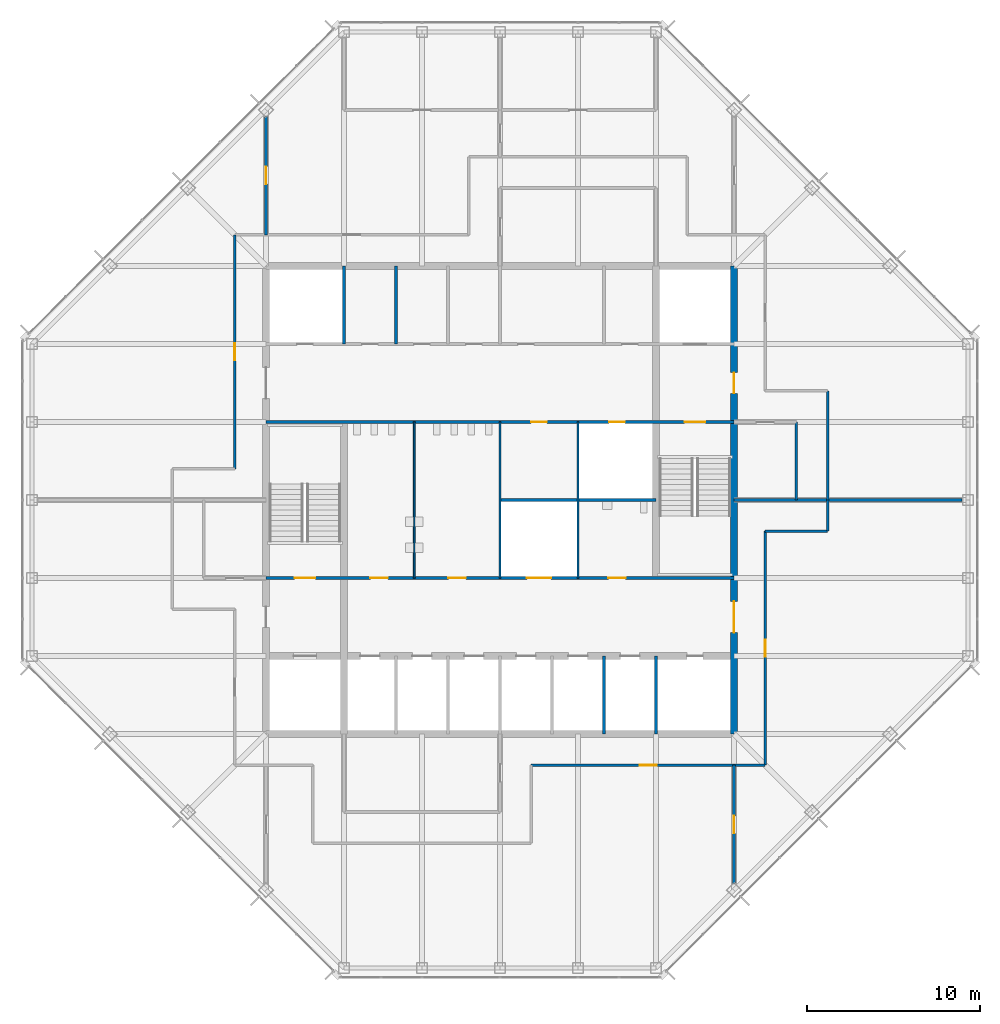
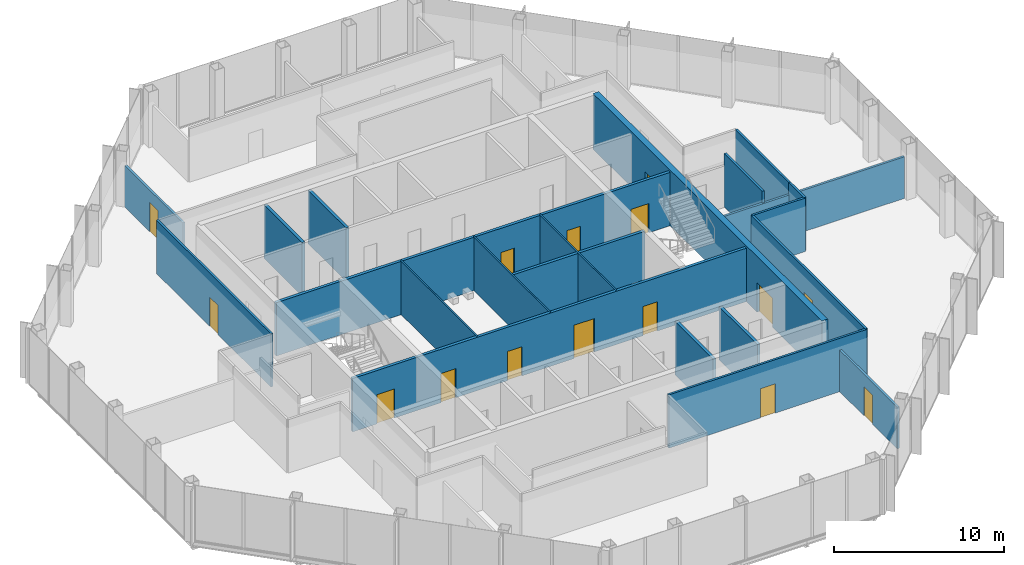
# One storey, part 10 of 13: 21 walls, 15 doors, 15 openings.
"""IFC4 building model written with IfcOpenShell, lengths in metres."""

from ifc_helpers import new_model, si_unit, direction, frame, frame_2d, origin, place, context, subcontext, project, spatial, rectangle, extrude, material, layer, layer_set, type_object, element, fill, save


model = new_model("IFC4")

# Units and contexts
model_context = context("Model", 3, precision=1e-05, world=origin(), true_north=direction((0.0, 1.0)))
body_context = subcontext(model_context, "Body", "Model", "MODEL_VIEW")
ifc_project = project(units=[si_unit("LENGTHUNIT", "METRE"), si_unit("AREAUNIT", "SQUARE_METRE"), si_unit("VOLUMEUNIT", "CUBIC_METRE"), si_unit("PLANEANGLEUNIT", "RADIAN"), si_unit("MASSUNIT", "GRAM", prefix="KILO")], contexts=[model_context])

# Site, building, storey
site_placement = place(None, origin())
site = spatial("IfcSite", under=ifc_project, at=site_placement, CompositionType="ELEMENT")
building_placement = place(site_placement, origin())
building = spatial("IfcBuilding", under=site, at=building_placement, Name="Corais Broadcast Tower", CompositionType="ELEMENT")
storey_placement = place(building_placement, frame((0.0, 0.0, 242.60009765625)))
storey = spatial("IfcBuildingStorey", under=building, at=storey_placement, Name="L56", CompositionType="ELEMENT", Elevation=242.60009765625)

# Walls
ifc_material_1 = material(Name="Concrete blockwork class A, grouted, two-hour", Category="masonry")
ifc_layer_1 = layer(ifc_material_1, 0.199951171875)
ifc_layer_set_1 = layer_set([ifc_layer_1], Name="Concrete blockwork class A, grouted, two-hour")
wall_type_1 = type_object("IfcWallType", Name="Core lobby wall 200", PredefinedType="SOLIDWALL", material=ifc_layer_set_1)
for number, where, z_axis, x_axis, name in (
    (1, (18.0, 36.0, 0.0), (0.0, 0.0, 1.0), (0.0, 1.0, 0.0), "CL3 core shaft wall X18B L56"),
    (2, (36.0, 13.5, 0.0), (0.0, 0.0, 1.0), (0.0, 1.0, 0.0), "CL3 core shaft wall X36A L56"),
):
    element("IfcWall", number, at=place(storey_placement, frame(where, z_axis=z_axis, x_axis=x_axis)), inside=storey, type_object=wall_type_1, Name=name, PredefinedType="SOLIDWALL", context=body_context, shape_type="SweptSolid", body=[
        extrude(rectangle(XDim=4.5, YDim=0.199951171875, at=frame_2d((2.25, 0.0))), origin(), (0.0, 0.0, 1.0), 3.83984375),
    ])

# Wall, openings, doors
wall_1_placement = place(storey_placement, frame((13.5, 22.5, 0.0), z_axis=(0.0, 0.0, 1.0), x_axis=(1.0, 0.0, 0.0)))
wall_1 = element("IfcWall", 3, at=wall_1_placement, inside=storey, type_object=wall_type_1, Name="CL3 core lobby wall Y225 L56", PredefinedType="SOLIDWALL", context=body_context, shape_type="SweptSolid", body=[
    extrude(rectangle(XDim=27.0, YDim=0.199951171875, at=frame_2d((13.5, 0.0))), origin(), (0.0, 0.0, 1.0), 3.83984375),
])
opening_1_placement = place(wall_1_placement, frame((1.64990234375, 0.0, 0.0)))
opening_1 = element("IfcOpeningElement", 4, at=opening_1_placement, cuts=wall_1, Name="Opening FD1", PredefinedType="OPENING", context=body_context, shape_type="SweptSolid", body=[
    extrude(rectangle(XDim=1.199951171875, YDim=2.10009765625, at=frame_2d((0.60009765625, 1.050048828125))), frame((0.0, 0.10986328125, 0.0), z_axis=(0.0, -1.0, 0.0), x_axis=(1.0, 0.0, 0.0)), (0.0, 0.0, 1.0), 0.219970703125),
])
opening_2_placement = place(wall_1_placement, frame((6.02490234375, 0.0, 0.0)))
opening_2 = element("IfcOpeningElement", 5, at=opening_2_placement, cuts=wall_1, Name="Opening WD1", PredefinedType="OPENING", context=body_context, shape_type="SweptSolid", body=[
    extrude(rectangle(XDim=1.0, YDim=2.10009765625, at=frame_2d((0.5, 1.050048828125))), frame((0.0, 0.10986328125, 0.0), z_axis=(0.0, -1.0, 0.0), x_axis=(1.0, 0.0, 0.0)), (0.0, 0.0, 1.0), 0.219970703125),
])
opening_3_placement = place(wall_1_placement, frame((10.52490234375, 0.0, 0.0)))
opening_3 = element("IfcOpeningElement", 6, at=opening_3_placement, cuts=wall_1, Name="Opening WD1", PredefinedType="OPENING", context=body_context, shape_type="SweptSolid", body=[
    extrude(rectangle(XDim=1.0, YDim=2.10009765625, at=frame_2d((0.5, 1.050048828125))), frame((0.0, 0.10986328125, 0.0), z_axis=(0.0, -1.0, 0.0), x_axis=(1.0, 0.0, 0.0)), (0.0, 0.0, 1.0), 0.219970703125),
])
opening_4_placement = place(wall_1_placement, frame((19.75, 0.0, 0.0)))
opening_4 = element("IfcOpeningElement", 7, at=opening_4_placement, cuts=wall_1, Name="Opening WD1", PredefinedType="OPENING", context=body_context, shape_type="SweptSolid", body=[
    extrude(rectangle(XDim=1.0, YDim=2.10009765625, at=frame_2d((0.5, 1.050048828125))), frame((0.0, 0.10986328125, 0.0), z_axis=(0.0, -1.0, 0.0), x_axis=(1.0, 0.0, 0.0)), (0.0, 0.0, 1.0), 0.219970703125),
])
opening_5_placement = place(wall_1_placement, frame((15.050048828125, 0.0, 0.0)))
opening_5 = element("IfcOpeningElement", 8, at=opening_5_placement, cuts=wall_1, Name="Opening LD3", PredefinedType="OPENING", context=body_context, shape_type="SweptSolid", body=[
    extrude(rectangle(XDim=1.39990234375, YDim=2.39990234375, at=frame_2d((0.699951171875, 1.199951171875))), frame((0.0, 0.10986328125, 0.0), z_axis=(0.0, -1.0, 0.0), x_axis=(1.0, 0.0, 0.0)), (0.0, 0.0, 1.0), 0.219970703125),
])
ifc_material_2 = material(Name="Steel fire door", Category="steel")
door_type_1 = type_object("IfcDoorType", Name="Fire door 1200x2100", OperationType="SINGLE_SWING_LEFT", PredefinedType="DOOR", material=ifc_material_2)
door_1_placement = place(opening_1_placement, origin())
door_1 = element("IfcDoor", 9, at=door_1_placement, inside=storey, type_object=door_type_1, Name="FD1 stair A door L56", OperationType="SINGLE_SWING_LEFT", OverallHeight=2.10009765625, OverallWidth=1.199951171875, PredefinedType="DOOR", context=body_context, shape_type="SweptSolid", body=[
    extrude(rectangle(XDim=1.199951171875, YDim=2.10009765625, at=frame_2d((0.60009765625, 1.050048828125))), frame((0.0, 0.02490234375, 0.0), z_axis=(0.0, -1.0, 0.0), x_axis=(1.0, 0.0, 0.0)), (0.0, 0.0, 1.0), 0.050048828125),
])
fill(opening_1, door_1)
ifc_material_3 = material(Name="Stainless steel lift door", Category="steel")
door_type_2 = type_object("IfcDoorType", Name="Service lift landing door 1400x2400", OperationType="SLIDING_TO_LEFT", PredefinedType="DOOR", material=ifc_material_3)
door_2_placement = place(opening_5_placement, origin())
door_2 = element("IfcDoor", 10, at=door_2_placement, inside=storey, type_object=door_type_2, Name="LD3 SL1 landing door L56", OperationType="SLIDING_TO_LEFT", OverallHeight=2.39990234375, OverallWidth=1.39990234375, PredefinedType="DOOR", context=body_context, shape_type="SweptSolid", body=[
    extrude(rectangle(XDim=1.39990234375, YDim=2.39990234375, at=frame_2d((0.699951171875, 1.199951171875))), frame((0.0, 0.02490234375, 0.0), z_axis=(0.0, -1.0, 0.0), x_axis=(1.0, 0.0, 0.0)), (0.0, 0.0, 1.0), 0.050048828125),
])
fill(opening_5, door_2)
ifc_material_4 = material(Name="Timber door", Category="wood")
door_type_3 = type_object("IfcDoorType", Name="Toilet door 1000x2100", OperationType="SINGLE_SWING_LEFT", PredefinedType="DOOR", material=ifc_material_4)
door_3_placement = place(opening_2_placement, origin())
door_3 = element("IfcDoor", 11, at=door_3_placement, inside=storey, type_object=door_type_3, Name="WD1 WC male door L56", OperationType="SINGLE_SWING_LEFT", OverallHeight=2.10009765625, OverallWidth=1.0, PredefinedType="DOOR", context=body_context, shape_type="SweptSolid", body=[
    extrude(rectangle(XDim=1.0, YDim=2.10009765625, at=frame_2d((0.5, 1.050048828125))), frame((0.0, 0.02490234375, 0.0), z_axis=(0.0, -1.0, 0.0), x_axis=(1.0, 0.0, 0.0)), (0.0, 0.0, 1.0), 0.050048828125),
])
fill(opening_2, door_3)
door_4_placement = place(opening_3_placement, origin())
door_4 = element("IfcDoor", 12, at=door_4_placement, inside=storey, type_object=door_type_3, Name="WD1 WC female door L56", OperationType="SINGLE_SWING_LEFT", OverallHeight=2.10009765625, OverallWidth=1.0, PredefinedType="DOOR", context=body_context, shape_type="SweptSolid", body=[
    extrude(rectangle(XDim=1.0, YDim=2.10009765625, at=frame_2d((0.5, 1.050048828125))), frame((0.0, 0.02490234375, 0.0), z_axis=(0.0, -1.0, 0.0), x_axis=(1.0, 0.0, 0.0)), (0.0, 0.0, 1.0), 0.050048828125),
])
fill(opening_3, door_4)
door_5_placement = place(opening_4_placement, origin())
door_5 = element("IfcDoor", 13, at=door_5_placement, inside=storey, type_object=door_type_3, Name="WD1 accessible WC door L56", OperationType="SINGLE_SWING_RIGHT", OverallHeight=2.10009765625, OverallWidth=1.0, PredefinedType="DOOR", context=body_context, shape_type="SweptSolid", body=[
    extrude(rectangle(XDim=1.0, YDim=2.10009765625, at=frame_2d((0.5, 1.050048828125))), frame((0.0, 0.02490234375, 0.0), z_axis=(0.0, -1.0, 0.0), x_axis=(1.0, 0.0, 0.0)), (0.0, 0.0, 1.0), 0.050048828125),
])
fill(opening_4, door_5)

wall_2_placement = place(storey_placement, frame((13.5, 31.5, 0.0), z_axis=(0.0, 0.0, 1.0), x_axis=(1.0, 0.0, 0.0)))
wall_2 = element("IfcWall", 14, at=wall_2_placement, inside=storey, type_object=wall_type_1, Name="CL3 core lobby wall Y315 L56", PredefinedType="SOLIDWALL", context=body_context, shape_type="SweptSolid", body=[
    extrude(rectangle(XDim=27.0, YDim=0.199951171875, at=frame_2d((13.5, 0.0))), origin(), (0.0, 0.0, 1.0), 3.83984375),
])
opening_6_placement = place(wall_2_placement, frame((24.14990234375, 0.0, 0.0)))
opening_6 = element("IfcOpeningElement", 15, at=opening_6_placement, cuts=wall_2, Name="Opening FD1", PredefinedType="OPENING", context=body_context, shape_type="SweptSolid", body=[
    extrude(rectangle(XDim=1.199951171875, YDim=2.10009765625, at=frame_2d((0.60009765625, 1.050048828125))), frame((0.0, 0.10986328125, 0.0), z_axis=(0.0, -1.0, 0.0), x_axis=(1.0, 0.0, 0.0)), (0.0, 0.0, 1.0), 0.219970703125),
])
opening_7_placement = place(wall_2_placement, frame((15.300048828125, 0.0, 0.0)))
opening_7 = element("IfcOpeningElement", 16, at=opening_7_placement, cuts=wall_2, Name="Opening RD1", PredefinedType="OPENING", context=body_context, shape_type="SweptSolid", body=[
    extrude(rectangle(XDim=0.89990234375, YDim=2.10009765625, at=frame_2d((0.449951171875, 1.050048828125))), frame((0.0, 0.10986328125, 0.0), z_axis=(0.0, -1.0, 0.0), x_axis=(1.0, 0.0, 0.0)), (0.0, 0.0, 1.0), 0.219970703125),
])
opening_8_placement = place(wall_2_placement, frame((19.800048828125, 0.0, 0.0)))
opening_8 = element("IfcOpeningElement", 17, at=opening_8_placement, cuts=wall_2, Name="Opening RD1", PredefinedType="OPENING", context=body_context, shape_type="SweptSolid", body=[
    extrude(rectangle(XDim=0.89990234375, YDim=2.10009765625, at=frame_2d((0.449951171875, 1.050048828125))), frame((0.0, 0.10986328125, 0.0), z_axis=(0.0, -1.0, 0.0), x_axis=(1.0, 0.0, 0.0)), (0.0, 0.0, 1.0), 0.219970703125),
])
door_6_placement = place(opening_6_placement, origin())
door_6 = element("IfcDoor", 18, at=door_6_placement, inside=storey, type_object=door_type_1, Name="FD1 stair B door L56", OperationType="SINGLE_SWING_RIGHT", OverallHeight=2.10009765625, OverallWidth=1.199951171875, PredefinedType="DOOR", context=body_context, shape_type="SweptSolid", body=[
    extrude(rectangle(XDim=1.199951171875, YDim=2.10009765625, at=frame_2d((0.60009765625, 1.050048828125))), frame((0.0, 0.02490234375, 0.0), z_axis=(0.0, -1.0, 0.0), x_axis=(1.0, 0.0, 0.0)), (0.0, 0.0, 1.0), 0.050048828125),
])
fill(opening_6, door_6)
ifc_material_5 = material(Name="Steel fire door", Category="steel")
door_type_4 = type_object("IfcDoorType", Name="Riser door 900x2100", OperationType="SINGLE_SWING_LEFT", PredefinedType="DOOR", material=ifc_material_5)
door_7_placement = place(opening_7_placement, origin())
door_7 = element("IfcDoor", 19, at=door_7_placement, inside=storey, type_object=door_type_4, Name="RD1 tea point door L56", OperationType="SINGLE_SWING_RIGHT", OverallHeight=2.10009765625, OverallWidth=0.89990234375, PredefinedType="DOOR", context=body_context, shape_type="SweptSolid", body=[
    extrude(rectangle(XDim=0.89990234375, YDim=2.10009765625, at=frame_2d((0.449951171875, 1.050048828125))), frame((0.0, 0.02490234375, 0.0), z_axis=(0.0, -1.0, 0.0), x_axis=(1.0, 0.0, 0.0)), (0.0, 0.0, 1.0), 0.050048828125),
])
fill(opening_7, door_7)
door_8_placement = place(opening_8_placement, origin())
door_8 = element("IfcDoor", 20, at=door_8_placement, inside=storey, type_object=door_type_4, Name="RD1 riser door L56", OperationType="SINGLE_SWING_RIGHT", OverallHeight=2.10009765625, OverallWidth=0.89990234375, PredefinedType="DOOR", context=body_context, shape_type="SweptSolid", body=[
    extrude(rectangle(XDim=0.89990234375, YDim=2.10009765625, at=frame_2d((0.449951171875, 1.050048828125))), frame((0.0, 0.02490234375, 0.0), z_axis=(0.0, -1.0, 0.0), x_axis=(1.0, 0.0, 0.0)), (0.0, 0.0, 1.0), 0.050048828125),
])
fill(opening_8, door_8)

ifc_material_6 = material(Name="Concrete C50/60", Category="concrete")
ifc_layer_2 = layer(ifc_material_6, 0.39990234375)
ifc_layer_set_2 = layer_set([ifc_layer_2], Name="Concrete C50/60")
wall_type_2 = type_object("IfcWallType", Name="Core wall 400", PredefinedType="SHEAR", material=ifc_layer_set_2)
wall_3_placement = place(storey_placement, frame((40.5, 13.5, 0.0), z_axis=(0.0, 0.0, 1.0), x_axis=(0.0, 1.0, 0.0)))
wall_3 = element("IfcWall", 21, at=wall_3_placement, inside=storey, type_object=wall_type_2, Name="CR400 core wall E L56", PredefinedType="SHEAR", context=body_context, shape_type="SweptSolid", body=[
    extrude(rectangle(XDim=27.0, YDim=0.39990234375, at=frame_2d((13.5, 0.0))), origin(), (0.0, 0.0, 1.0), 4.0),
])
opening_9_placement = place(wall_3_placement, frame((5.85009765625, 0.0, 0.0)))
opening_9 = element("IfcOpeningElement", 22, at=opening_9_placement, cuts=wall_3, Name="Opening FD2", PredefinedType="OPENING", context=body_context, shape_type="SweptSolid", body=[
    extrude(rectangle(XDim=1.800048828125, YDim=2.10009765625, at=frame_2d((0.89990234375, 1.050048828125))), frame((0.0, 0.2099609375, 0.0), z_axis=(0.0, -1.0, 0.0), x_axis=(1.0, 0.0, 0.0)), (0.0, 0.0, 1.0), 0.419921875),
])
opening_10_placement = place(wall_3_placement, frame((19.64990234375, 0.0, 0.0)))
opening_10 = element("IfcOpeningElement", 23, at=opening_10_placement, cuts=wall_3, Name="Opening FD1", PredefinedType="OPENING", context=body_context, shape_type="SweptSolid", body=[
    extrude(rectangle(XDim=1.199951171875, YDim=2.10009765625, at=frame_2d((0.60009765625, 1.050048828125))), frame((0.0, 0.2099609375, 0.0), z_axis=(0.0, -1.0, 0.0), x_axis=(1.0, 0.0, 0.0)), (0.0, 0.0, 1.0), 0.419921875),
])
door_9_placement = place(opening_10_placement, origin())
door_9 = element("IfcDoor", 24, at=door_9_placement, inside=storey, type_object=door_type_1, Name="FD1 fire lobby B door L56", OperationType="SINGLE_SWING_RIGHT", OverallHeight=2.10009765625, OverallWidth=1.199951171875, PredefinedType="DOOR", context=body_context, shape_type="SweptSolid", body=[
    extrude(rectangle(XDim=1.199951171875, YDim=2.10009765625, at=frame_2d((0.60009765625, 1.050048828125))), frame((0.0, 0.02490234375, 0.0), z_axis=(0.0, -1.0, 0.0), x_axis=(1.0, 0.0, 0.0)), (0.0, 0.0, 1.0), 0.050048828125),
])
fill(opening_10, door_9)
ifc_material_7 = material(Name="Steel fire door", Category="steel")
door_type_5 = type_object("IfcDoorType", Name="Fire door pair 1800x2100", OperationType="DOUBLE_DOOR_SINGLE_SWING", PredefinedType="DOOR", material=ifc_material_7)
door_10_placement = place(opening_9_placement, origin())
door_10 = element("IfcDoor", 25, at=door_10_placement, inside=storey, type_object=door_type_5, Name="FD2 lift lobby door L56", OperationType="SINGLE_SWING_LEFT", OverallHeight=2.10009765625, OverallWidth=1.800048828125, PredefinedType="DOOR", context=body_context, shape_type="SweptSolid", body=[
    extrude(rectangle(XDim=1.800048828125, YDim=2.10009765625, at=frame_2d((0.89990234375, 1.050048828125))), frame((0.0, 0.02490234375, 0.0), z_axis=(0.0, -1.0, 0.0), x_axis=(1.0, 0.0, 0.0)), (0.0, 0.0, 1.0), 0.050048828125),
])
fill(opening_9, door_10)

# Wall
ifc_material_8 = material(Name="Two layers of fire-rated gypsum board each side on steel studs", Category="steel")
ifc_layer_3 = layer(ifc_material_8, 0.14990234375)
ifc_layer_set_3 = layer_set([ifc_layer_3], Name="Two layers of fire-rated gypsum board each side on steel studs")
wall_type_3 = type_object("IfcWallType", Name="Fire-rated partition 150 EI 60", PredefinedType="PARTITIONING", material=ifc_layer_set_3)
wall_4_placement = place(storey_placement, frame((40.5, 27.0, 0.0), z_axis=(0.0, 0.0, 1.0), x_axis=(1.0, 0.0, 0.0)))
element("IfcWall", 26, at=wall_4_placement, inside=storey, type_object=wall_type_3, Name="IW7 tenancy wall L56", PredefinedType="PARTITIONING", context=body_context, shape_type="SweptSolid", body=[
    extrude(rectangle(XDim=13.1650390625, YDim=0.14990234375, at=frame_2d((6.58251953125, 0.0))), origin(), (0.0, 0.0, 1.0), 2.989013671875),
])

# Wall, opening, door
ifc_material_9 = material(Name="Gypsum board on steel studs", Category="steel")
ifc_layer_4 = layer(ifc_material_9, 0.14990234375)
ifc_layer_set_4 = layer_set([ifc_layer_4], Name="Gypsum board on steel studs")
wall_type_4 = type_object("IfcWallType", Name="Partition 150", PredefinedType="PARTITIONING", material=ifc_layer_set_4)
wall_5_placement = place(storey_placement, frame((28.800048828125, 11.699951171875, 0.0), z_axis=(0.0, 0.0, 1.0), x_axis=(1.0, 0.0, 0.0)))
wall_5 = element("IfcWall", 27, at=wall_5_placement, inside=storey, type_object=wall_type_4, Name="IW3 corridor wall L56", PredefinedType="PARTITIONING", context=body_context, shape_type="SweptSolid", body=[
    extrude(rectangle(XDim=13.5, YDim=0.14990234375, at=frame_2d((6.75, 0.0))), origin(), (0.0, 0.0, 1.0), 3.83984375),
])
opening_11_placement = place(wall_5_placement, frame((6.25, 0.0, 0.0)))
opening_11 = element("IfcOpeningElement", 28, at=opening_11_placement, cuts=wall_5, Name="Opening D1", PredefinedType="OPENING", context=body_context, shape_type="SweptSolid", body=[
    extrude(rectangle(XDim=1.0, YDim=2.10009765625, at=frame_2d((0.5, 1.050048828125))), frame((0.0, 0.0849609375, 0.0), z_axis=(0.0, -1.0, 0.0), x_axis=(1.0, 0.0, 0.0)), (0.0, 0.0, 1.0), 0.169921875),
])
ifc_material_10 = material(Name="Timber door", Category="wood")
door_type_6 = type_object("IfcDoorType", Name="Single door 1000x2100", OperationType="SINGLE_SWING_LEFT", PredefinedType="DOOR", material=ifc_material_10)
door_11_placement = place(opening_11_placement, origin())
door_11 = element("IfcDoor", 29, at=door_11_placement, inside=storey, type_object=door_type_6, Name="D1 workplace door L56", OperationType="SINGLE_SWING_LEFT", OverallHeight=2.10009765625, OverallWidth=1.0, PredefinedType="DOOR", context=body_context, shape_type="SweptSolid", body=[
    extrude(rectangle(XDim=1.0, YDim=2.10009765625, at=frame_2d((0.5, 1.050048828125))), frame((0.0, 0.02490234375, 0.0), z_axis=(0.0, -1.0, 0.0), x_axis=(1.0, 0.0, 0.0)), (0.0, 0.0, 1.0), 0.050048828125),
])
fill(opening_11, door_11)

wall_6_placement = place(storey_placement, frame((42.300048828125, 11.699951171875, 0.0), z_axis=(0.0, 0.0, 1.0), x_axis=(0.0, 1.0, 0.0)))
wall_6 = element("IfcWall", 30, at=wall_6_placement, inside=storey, type_object=wall_type_4, Name="IW3 corridor wall L56", PredefinedType="PARTITIONING", context=body_context, shape_type="SweptSolid", body=[
    extrude(rectangle(XDim=13.5, YDim=0.14990234375, at=frame_2d((6.75, 0.0))), origin(), (0.0, 0.0, 1.0), 3.83984375),
])
opening_12_placement = place(wall_6_placement, frame((6.25, 0.0, 0.0)))
opening_12 = element("IfcOpeningElement", 31, at=opening_12_placement, cuts=wall_6, Name="Opening D1", PredefinedType="OPENING", context=body_context, shape_type="SweptSolid", body=[
    extrude(rectangle(XDim=1.0, YDim=2.10009765625, at=frame_2d((0.5, 1.050048828125))), frame((0.0, 0.0849609375, 0.0), z_axis=(0.0, -1.0, 0.0), x_axis=(1.0, 0.0, 0.0)), (0.0, 0.0, 1.0), 0.169921875),
])
door_12_placement = place(opening_12_placement, origin())
door_12 = element("IfcDoor", 32, at=door_12_placement, inside=storey, type_object=door_type_6, Name="D1 workplace door L56", OperationType="SINGLE_SWING_LEFT", OverallHeight=2.10009765625, OverallWidth=1.0, PredefinedType="DOOR", context=body_context, shape_type="SweptSolid", body=[
    extrude(rectangle(XDim=1.0, YDim=2.10009765625, at=frame_2d((0.5, 1.050048828125))), frame((0.0, 0.02490234375, 0.0), z_axis=(0.0, -1.0, 0.0), x_axis=(1.0, 0.0, 0.0)), (0.0, 0.0, 1.0), 0.050048828125),
])
fill(opening_12, door_12)

# Walls
wall_7_placement = place(storey_placement, frame((42.300048828125, 25.199951171875, 0.0), z_axis=(0.0, 0.0, 1.0), x_axis=(1.0, 0.0, 0.0)))
element("IfcWall", 33, at=wall_7_placement, inside=storey, type_object=wall_type_4, Name="IW3 corridor wall L56", PredefinedType="PARTITIONING", context=body_context, shape_type="SweptSolid", body=[
    extrude(rectangle(XDim=3.599853515625, YDim=0.14990234375, at=frame_2d((1.7998046875, 0.0))), origin(), (0.0, 0.0, 1.0), 3.83984375),
])
wall_8_placement = place(storey_placement, frame((45.89990234375, 25.199951171875, 0.0), z_axis=(0.0, 0.0, 1.0), x_axis=(0.0, 1.0, 0.0)))
element("IfcWall", 34, at=wall_8_placement, inside=storey, type_object=wall_type_4, Name="IW3 corridor wall L56", PredefinedType="PARTITIONING", context=body_context, shape_type="SweptSolid", body=[
    extrude(rectangle(XDim=1.799560546875, YDim=0.14990234375, at=frame_2d((0.89990234375, 0.0))), origin(), (0.0, 0.0, 1.0), 3.83984375),
])

# Wall, opening, door
wall_9_placement = place(storey_placement, frame((11.699951171875, 42.300048828125, 0.0), z_axis=(0.0, 0.0, 1.0), x_axis=(0.0, -1.0, 0.0)))
wall_9 = element("IfcWall", 35, at=wall_9_placement, inside=storey, type_object=wall_type_4, Name="IW3 corridor wall L56", PredefinedType="PARTITIONING", context=body_context, shape_type="SweptSolid", body=[
    extrude(rectangle(XDim=13.5, YDim=0.14990234375, at=frame_2d((6.75, 0.0))), origin(), (0.0, 0.0, 1.0), 3.83984375),
])
opening_13_placement = place(wall_9_placement, frame((6.25, 0.0, 0.0)))
opening_13 = element("IfcOpeningElement", 36, at=opening_13_placement, cuts=wall_9, Name="Opening D1", PredefinedType="OPENING", context=body_context, shape_type="SweptSolid", body=[
    extrude(rectangle(XDim=1.0, YDim=2.10009765625, at=frame_2d((0.5, 1.050048828125))), frame((0.0, 0.0849609375, 0.0), z_axis=(0.0, -1.0, 0.0), x_axis=(1.0, 0.0, 0.0)), (0.0, 0.0, 1.0), 0.169921875),
])
door_13_placement = place(opening_13_placement, origin())
door_13 = element("IfcDoor", 37, at=door_13_placement, inside=storey, type_object=door_type_6, Name="D1 workplace door L56", OperationType="SINGLE_SWING_LEFT", OverallHeight=2.10009765625, OverallWidth=1.0, PredefinedType="DOOR", context=body_context, shape_type="SweptSolid", body=[
    extrude(rectangle(XDim=1.0, YDim=2.10009765625, at=frame_2d((0.5, 1.050048828125))), frame((0.0, 0.02490234375, 0.0), z_axis=(0.0, -1.0, 0.0), x_axis=(1.0, 0.0, 0.0)), (0.0, 0.0, 1.0), 0.050048828125),
])
fill(opening_13, door_13)

# Walls
wall_10_placement = place(storey_placement, frame((45.89990234375, 27.00048828125, 0.0), z_axis=(0.0, 0.0, 1.0), x_axis=(0.0, 1.0, 0.0)))
element("IfcWall", 38, at=wall_10_placement, inside=storey, type_object=wall_type_4, Name="IW3 corridor wall L56", PredefinedType="PARTITIONING", context=body_context, shape_type="SweptSolid", body=[
    extrude(rectangle(XDim=6.299560546875, YDim=0.14990234375, at=frame_2d((3.14990234375, 0.0))), origin(), (0.0, 0.0, 1.0), 3.83984375),
])
wall_11_placement = place(storey_placement, frame((44.10009765625, 27.0, 0.0), z_axis=(0.0, 0.0, 1.0), x_axis=(0.0, 1.0, 0.0)))
element("IfcWall", 39, at=wall_11_placement, inside=storey, type_object=wall_type_4, Name="IW3 partition L56", PredefinedType="PARTITIONING", context=body_context, shape_type="SweptSolid", body=[
    extrude(rectangle(XDim=4.5, YDim=0.14990234375, at=frame_2d((2.25, 0.0))), origin(), (0.0, 0.0, 1.0), 3.83984375),
])

# Wall, opening, door
wall_12_placement = place(storey_placement, frame((40.5, 4.844970703125, 0.0), z_axis=(0.0, 0.0, 1.0), x_axis=(0.0, 1.0, 0.0)))
wall_12 = element("IfcWall", 40, at=wall_12_placement, inside=storey, type_object=wall_type_4, Name="IW3 partition L56", PredefinedType="PARTITIONING", context=body_context, shape_type="SweptSolid", body=[
    extrude(rectangle(XDim=6.85498046875, YDim=0.14990234375, at=frame_2d((3.427490234375, 0.0))), origin(), (0.0, 0.0, 1.0), 2.989013671875),
])
opening_14_placement = place(wall_12_placement, frame((2.927490234375, 0.0, 0.0)))
opening_14 = element("IfcOpeningElement", 41, at=opening_14_placement, cuts=wall_12, Name="Opening D1", PredefinedType="OPENING", context=body_context, shape_type="SweptSolid", body=[
    extrude(rectangle(XDim=1.0, YDim=2.10009765625, at=frame_2d((0.5, 1.050048828125))), frame((0.0, 0.0849609375, 0.0), z_axis=(0.0, -1.0, 0.0), x_axis=(1.0, 0.0, 0.0)), (0.0, 0.0, 1.0), 0.169921875),
])
door_14_placement = place(opening_14_placement, origin())
door_14 = element("IfcDoor", 42, at=door_14_placement, inside=storey, type_object=door_type_6, Name="D1 team room door L56", OperationType="SINGLE_SWING_LEFT", OverallHeight=2.10009765625, OverallWidth=1.0, PredefinedType="DOOR", context=body_context, shape_type="SweptSolid", body=[
    extrude(rectangle(XDim=1.0, YDim=2.10009765625, at=frame_2d((0.5, 1.050048828125))), frame((0.0, 0.02490234375, 0.0), z_axis=(0.0, -1.0, 0.0), x_axis=(1.0, 0.0, 0.0)), (0.0, 0.0, 1.0), 0.050048828125),
])
fill(opening_14, door_14)

wall_13_placement = place(storey_placement, frame((13.5, 42.300048828125, 0.0), z_axis=(0.0, 0.0, 1.0), x_axis=(0.0, 1.0, 0.0)))
wall_13 = element("IfcWall", 43, at=wall_13_placement, inside=storey, type_object=wall_type_4, Name="IW3 partition L56", PredefinedType="PARTITIONING", context=body_context, shape_type="SweptSolid", body=[
    extrude(rectangle(XDim=6.85498046875, YDim=0.14990234375, at=frame_2d((3.427490234375, 0.0))), origin(), (0.0, 0.0, 1.0), 2.989013671875),
])
opening_15_placement = place(wall_13_placement, frame((2.927490234375, 0.0, 0.0)))
opening_15 = element("IfcOpeningElement", 44, at=opening_15_placement, cuts=wall_13, Name="Opening D1", PredefinedType="OPENING", context=body_context, shape_type="SweptSolid", body=[
    extrude(rectangle(XDim=1.0, YDim=2.10009765625, at=frame_2d((0.5, 1.050048828125))), frame((0.0, 0.0849609375, 0.0), z_axis=(0.0, -1.0, 0.0), x_axis=(1.0, 0.0, 0.0)), (0.0, 0.0, 1.0), 0.169921875),
])
door_15_placement = place(opening_15_placement, origin())
door_15 = element("IfcDoor", 45, at=door_15_placement, inside=storey, type_object=door_type_6, Name="D1 team room door L56", OperationType="SINGLE_SWING_LEFT", OverallHeight=2.10009765625, OverallWidth=1.0, PredefinedType="DOOR", context=body_context, shape_type="SweptSolid", body=[
    extrude(rectangle(XDim=1.0, YDim=2.10009765625, at=frame_2d((0.5, 1.050048828125))), frame((0.0, 0.02490234375, 0.0), z_axis=(0.0, -1.0, 0.0), x_axis=(1.0, 0.0, 0.0)), (0.0, 0.0, 1.0), 0.050048828125),
])
fill(opening_15, door_15)

# Walls
ifc_material_11 = material(Name="Concrete blockwork class A, grouted, two-hour", Category="masonry")
ifc_layer_5 = layer(ifc_material_11, 0.199951171875)
ifc_layer_set_5 = layer_set([ifc_layer_5], Name="Concrete blockwork class A, grouted, two-hour")
wall_type_5 = type_object("IfcWallType", Name="Shaft wall 200", PredefinedType="PARTITIONING", material=ifc_layer_set_5)
for number, where, z_axis, x_axis, name in (
    (46, (21.0, 36.0, 0.0), (0.0, 0.0, 1.0), (0.0, 1.0, 0.0), "IW1 shaft wall L56"),
    (47, (33.0, 13.5, 0.0), (0.0, 0.0, 1.0), (0.0, 1.0, 0.0), "IW1 shaft wall L56"),
):
    element("IfcWall", number, at=place(storey_placement, frame(where, z_axis=z_axis, x_axis=x_axis)), inside=storey, type_object=wall_type_5, Name=name, PredefinedType="PARTITIONING", context=body_context, shape_type="SweptSolid", body=[
        extrude(rectangle(XDim=4.5, YDim=0.199951171875, at=frame_2d((2.25, 0.0))), origin(), (0.0, 0.0, 1.0), 3.83984375),
    ])
wall_14_placement = place(storey_placement, frame((27.0, 27.0, 0.0), z_axis=(0.0, 0.0, 1.0), x_axis=(1.0, 0.0, 0.0)))
element("IfcWall", 48, at=wall_14_placement, inside=storey, type_object=wall_type_5, Name="IW1 shaft wall L56", PredefinedType="PARTITIONING", context=body_context, shape_type="SweptSolid", body=[
    extrude(rectangle(XDim=9.0, YDim=0.199951171875, at=frame_2d((4.5, 0.0))), origin(), (0.0, 0.0, 1.0), 3.83984375),
])
ifc_material_12 = material(Name="Dense concrete blockwork class A, tiled both faces", Category="masonry")
ifc_layer_6 = layer(ifc_material_12, 0.10009765625)
ifc_layer_set_6 = layer_set([ifc_layer_6], Name="Dense concrete blockwork class A, tiled both faces")
wall_type_6 = type_object("IfcWallType", Name="Toilet wall 100", PredefinedType="PLUMBINGWALL", material=ifc_layer_set_6)
for number, where, z_axis, x_axis, name in (
    (49, (22.050048828125, 22.5, 0.0), (0.0, 0.0, 1.0), (0.0, 1.0, 0.0), "IW2 toilet wall L56"),
    (50, (27.0, 22.5, 0.0), (0.0, 0.0, 1.0), (0.0, 1.0, 0.0), "IW2 toilet wall L56"),
    (51, (31.5, 22.5, 0.0), (0.0, 0.0, 1.0), (0.0, 1.0, 0.0), "IW2 toilet wall L56"),
):
    element("IfcWall", number, at=place(storey_placement, frame(where, z_axis=z_axis, x_axis=x_axis)), inside=storey, type_object=wall_type_6, Name=name, PredefinedType="PLUMBINGWALL", context=body_context, shape_type="SweptSolid", body=[
        extrude(rectangle(XDim=9.0, YDim=0.10009765625, at=frame_2d((4.5, 0.0))), origin(), (0.0, 0.0, 1.0), 3.83984375),
    ])

save(model, "model.ifc")
